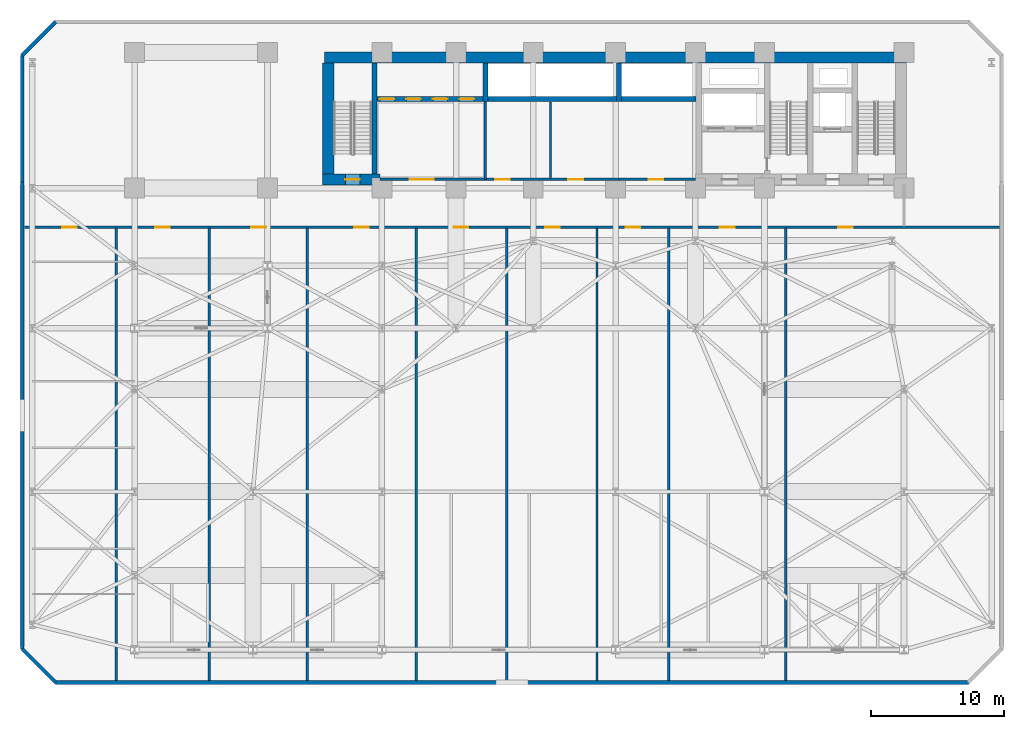
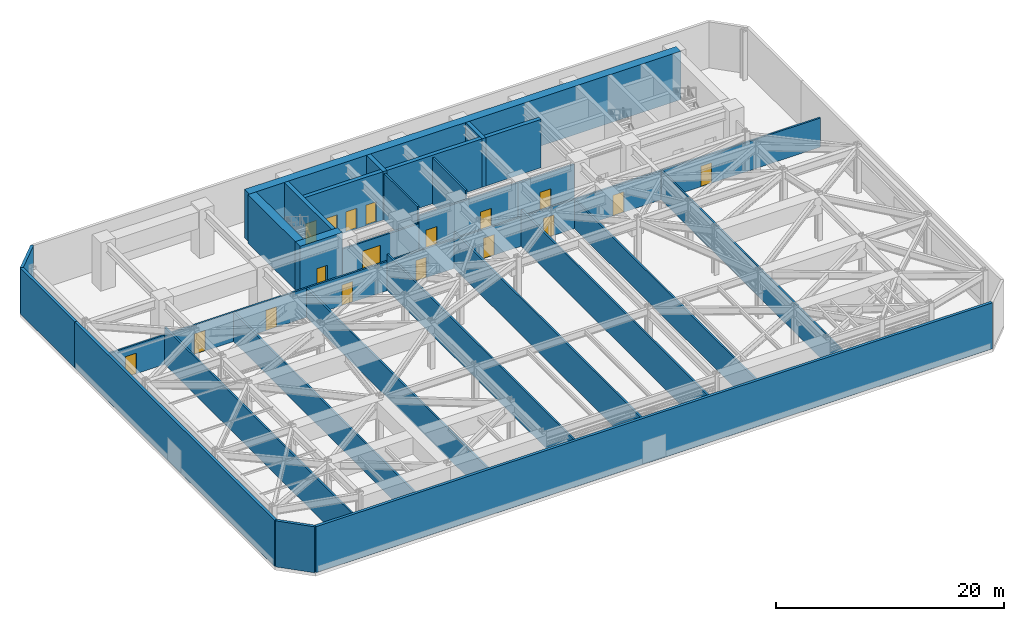
# One storey, part 7 of 14: 28 walls, 18 doors, 18 openings.
"""IFC4 building model written with IfcOpenShell, lengths in metres."""

from ifc_helpers import new_model, si_unit, direction, frame, frame_2d, origin, place, context, subcontext, project, spatial, rectangle, extrude, material, layer, layer_set, type_object, element, fill, save


model = new_model("IFC4")

# Units and contexts
model_context = context("Model", 3, precision=1e-05, world=origin(), true_north=direction((0.0, 1.0)))
body_context = subcontext(model_context, "Body", "Model", "MODEL_VIEW")
ifc_project = project(units=[si_unit("LENGTHUNIT", "METRE"), si_unit("AREAUNIT", "SQUARE_METRE"), si_unit("VOLUMEUNIT", "CUBIC_METRE"), si_unit("PLANEANGLEUNIT", "RADIAN"), si_unit("MASSUNIT", "GRAM", prefix="KILO")], contexts=[model_context])

# Site, building, storey
site_placement = place(None, origin())
site = spatial("IfcSite", under=ifc_project, at=site_placement, CompositionType="ELEMENT")
building_placement = place(site_placement, origin())
building = spatial("IfcBuilding", under=site, at=building_placement, Name="Kravanh Interchange Tower", CompositionType="ELEMENT")
storey_placement = place(building_placement, frame((0.0, 0.0, 24.300048828125)))
storey = spatial("IfcBuildingStorey", under=building, at=storey_placement, Name="L05", CompositionType="ELEMENT", Elevation=24.300048828125)

# Walls
ifc_material_1 = material(Name="Concrete C80/95", Category="concrete")
ifc_layer_1 = layer(ifc_material_1, 0.39990234375)
ifc_layer_set_1 = layer_set([ifc_layer_1], Name="Core Shear Wall Concrete C80/95 400mm")
wall_type_1 = type_object("IfcWallType", Name="Core Shear Wall Concrete C80/95 400mm", PredefinedType="SHEAR", material=ifc_layer_set_1)
wall_1_placement = place(storey_placement, frame((45.25, 44.050048828125, 0.0), z_axis=(0.0, 0.0, 1.0), x_axis=(1.0, 0.0, 0.0)))
element("IfcWall", 1, at=wall_1_placement, inside=storey, type_object=wall_type_1, Name="L05 High-Rise Lift Shaft South Wall", PredefinedType="SHEAR", context=body_context, shape_type="SweptSolid", body=[
    extrude(rectangle(XDim=5.60009765625, YDim=0.39990234375, at=frame_2d((2.800048828125, 0.0))), origin(), (0.0, 0.0, 1.0), 5.199951171875),
])
wall_2_placement = place(storey_placement, frame((45.050048828125, 43.85009765625, 0.0), z_axis=(0.0, 0.0, 1.0), x_axis=(0.0, 1.0, 0.0)))
element("IfcWall", 2, at=wall_2_placement, inside=storey, type_object=wall_type_1, Name="L05 High-Rise Lift Shaft West Wall", PredefinedType="SHEAR", context=body_context, shape_type="SweptSolid", body=[
    extrude(rectangle(XDim=2.89990234375, YDim=0.39990234375, at=frame_2d((1.449951171875, 0.0))), origin(), (0.0, 0.0, 1.0), 5.199951171875),
])
wall_3_placement = place(storey_placement, frame((35.199951171875, 44.050048828125, 0.0), z_axis=(0.0, 0.0, 1.0), x_axis=(1.0, 0.0, 0.0)))
element("IfcWall", 3, at=wall_3_placement, inside=storey, type_object=wall_type_1, Name="L05 Mid-Rise Lift Shaft South Wall", PredefinedType="SHEAR", context=body_context, shape_type="SweptSolid", body=[
    extrude(rectangle(XDim=9.650146484375, YDim=0.39990234375, at=frame_2d((4.8251953125, 0.0))), origin(), (0.0, 0.0, 1.0), 5.199951171875),
])
wall_4_placement = place(storey_placement, frame((35.0, 43.85009765625, 0.0), z_axis=(0.0, 0.0, 1.0), x_axis=(0.0, 1.0, 0.0)))
element("IfcWall", 4, at=wall_4_placement, inside=storey, type_object=wall_type_1, Name="L05 Mid-Rise Lift Shaft West Wall", PredefinedType="SHEAR", context=body_context, shape_type="SweptSolid", body=[
    extrude(rectangle(XDim=2.89990234375, YDim=0.39990234375, at=frame_2d((1.449951171875, 0.0))), origin(), (0.0, 0.0, 1.0), 5.199951171875),
])

# Wall, openings, doors
wall_5_placement = place(storey_placement, frame((26.85009765625, 44.050048828125, 0.0), z_axis=(0.0, 0.0, 1.0), x_axis=(1.0, 0.0, 0.0)))
wall_5 = element("IfcWall", 5, at=wall_5_placement, inside=storey, type_object=wall_type_1, Name="L05 Low-Rise Lift Shaft South Wall", PredefinedType="SHEAR", context=body_context, shape_type="SweptSolid", body=[
    extrude(rectangle(XDim=7.949951171875, YDim=0.39990234375, at=frame_2d((3.97509765625, 0.0))), origin(), (0.0, 0.0, 1.0), 5.199951171875),
])
opening_1_placement = place(wall_5_placement, frame((0.199951171875, 0.0, 0.0)))
opening_1 = element("IfcOpeningElement", 6, at=opening_1_placement, cuts=wall_5, Name="Opening LD01", PredefinedType="OPENING", context=body_context, shape_type="SweptSolid", body=[
    extrude(rectangle(XDim=1.10009765625, YDim=2.199951171875, at=frame_2d((0.550048828125, 1.10009765625))), frame((0.0, 0.2099609375, 0.0), z_axis=(0.0, -1.0, 0.0), x_axis=(1.0, 0.0, 0.0)), (0.0, 0.0, 1.0), 0.419921875),
])
opening_2_placement = place(wall_5_placement, frame((2.199951171875, 0.0, 0.0)))
opening_2 = element("IfcOpeningElement", 7, at=opening_2_placement, cuts=wall_5, Name="Opening LD01", PredefinedType="OPENING", context=body_context, shape_type="SweptSolid", body=[
    extrude(rectangle(XDim=1.10009765625, YDim=2.199951171875, at=frame_2d((0.550048828125, 1.10009765625))), frame((0.0, 0.2099609375, 0.0), z_axis=(0.0, -1.0, 0.0), x_axis=(1.0, 0.0, 0.0)), (0.0, 0.0, 1.0), 0.419921875),
])
opening_3_placement = place(wall_5_placement, frame((4.199951171875, 0.0, 0.0)))
opening_3 = element("IfcOpeningElement", 8, at=opening_3_placement, cuts=wall_5, Name="Opening LD01", PredefinedType="OPENING", context=body_context, shape_type="SweptSolid", body=[
    extrude(rectangle(XDim=1.10009765625, YDim=2.199951171875, at=frame_2d((0.550048828125, 1.10009765625))), frame((0.0, 0.2099609375, 0.0), z_axis=(0.0, -1.0, 0.0), x_axis=(1.0, 0.0, 0.0)), (0.0, 0.0, 1.0), 0.419921875),
])
opening_4_placement = place(wall_5_placement, frame((6.199951171875, 0.0, 0.0)))
opening_4 = element("IfcOpeningElement", 9, at=opening_4_placement, cuts=wall_5, Name="Opening LD01", PredefinedType="OPENING", context=body_context, shape_type="SweptSolid", body=[
    extrude(rectangle(XDim=1.10009765625, YDim=2.199951171875, at=frame_2d((0.550048828125, 1.10009765625))), frame((0.0, 0.2099609375, 0.0), z_axis=(0.0, -1.0, 0.0), x_axis=(1.0, 0.0, 0.0)), (0.0, 0.0, 1.0), 0.419921875),
])
ifc_material_2 = material(Name="Stainless Steel 304", Category="steel")
door_type_1 = type_object("IfcDoorType", Name="Passenger Lift Sliding Landing Door 1100x2200", OperationType="DOUBLE_DOOR_SLIDING", PredefinedType="DOOR", material=ifc_material_2)
door_1_placement = place(opening_1_placement, origin())
door_1 = element("IfcDoor", 10, at=door_1_placement, inside=storey, type_object=door_type_1, Name="L05 Lift LP-L1 Landing Door", OperationType="DOUBLE_DOOR_SLIDING", OverallHeight=2.199951171875, OverallWidth=1.10009765625, PredefinedType="DOOR", context=body_context, shape_type="SweptSolid", body=[
    extrude(rectangle(XDim=1.10009765625, YDim=2.199951171875, at=frame_2d((0.550048828125, 1.10009765625))), frame((0.0, 0.02490234375, 0.0), z_axis=(0.0, -1.0, 0.0), x_axis=(1.0, 0.0, 0.0)), (0.0, 0.0, 1.0), 0.050048828125),
])
fill(opening_1, door_1)
door_2_placement = place(opening_2_placement, origin())
door_2 = element("IfcDoor", 11, at=door_2_placement, inside=storey, type_object=door_type_1, Name="L05 Lift LP-L2 Landing Door", OperationType="DOUBLE_DOOR_SLIDING", OverallHeight=2.199951171875, OverallWidth=1.10009765625, PredefinedType="DOOR", context=body_context, shape_type="SweptSolid", body=[
    extrude(rectangle(XDim=1.10009765625, YDim=2.199951171875, at=frame_2d((0.550048828125, 1.10009765625))), frame((0.0, 0.02490234375, 0.0), z_axis=(0.0, -1.0, 0.0), x_axis=(1.0, 0.0, 0.0)), (0.0, 0.0, 1.0), 0.050048828125),
])
fill(opening_2, door_2)
door_3_placement = place(opening_3_placement, origin())
door_3 = element("IfcDoor", 12, at=door_3_placement, inside=storey, type_object=door_type_1, Name="L05 Lift LP-L3 Landing Door", OperationType="DOUBLE_DOOR_SLIDING", OverallHeight=2.199951171875, OverallWidth=1.10009765625, PredefinedType="DOOR", context=body_context, shape_type="SweptSolid", body=[
    extrude(rectangle(XDim=1.10009765625, YDim=2.199951171875, at=frame_2d((0.550048828125, 1.10009765625))), frame((0.0, 0.02490234375, 0.0), z_axis=(0.0, -1.0, 0.0), x_axis=(1.0, 0.0, 0.0)), (0.0, 0.0, 1.0), 0.050048828125),
])
fill(opening_3, door_3)
door_4_placement = place(opening_4_placement, origin())
door_4 = element("IfcDoor", 13, at=door_4_placement, inside=storey, type_object=door_type_1, Name="L05 Lift LP-L4 Landing Door", OperationType="DOUBLE_DOOR_SLIDING", OverallHeight=2.199951171875, OverallWidth=1.10009765625, PredefinedType="DOOR", context=body_context, shape_type="SweptSolid", body=[
    extrude(rectangle(XDim=1.10009765625, YDim=2.199951171875, at=frame_2d((0.550048828125, 1.10009765625))), frame((0.0, 0.02490234375, 0.0), z_axis=(0.0, -1.0, 0.0), x_axis=(1.0, 0.0, 0.0)), (0.0, 0.0, 1.0), 0.050048828125),
])
fill(opening_4, door_4)

# Walls
wall_6_placement = place(storey_placement, frame((26.64990234375, 38.425048828125, 0.0), z_axis=(0.0, 0.0, 1.0), x_axis=(0.0, 1.0, 0.0)))
element("IfcWall", 14, at=wall_6_placement, inside=storey, type_object=wall_type_1, Name="L05 Stair ST3 East Shear Wall", PredefinedType="SHEAR", context=body_context, shape_type="SweptSolid", body=[
    extrude(rectangle(XDim=8.324951171875, YDim=0.39990234375, at=frame_2d((4.16259765625, 0.0))), origin(), (0.0, 0.0, 1.0), 5.199951171875),
])
ifc_material_3 = material(Name="Concrete C80/95", Category="concrete")
ifc_layer_2 = layer(ifc_material_3, 0.85009765625)
ifc_layer_set_2 = layer_set([ifc_layer_2], Name="Core Shear Wall Concrete C80/95 850mm")
wall_type_2 = type_object("IfcWallType", Name="Core Shear Wall Concrete C80/95 850mm", PredefinedType="SHEAR", material=ifc_layer_set_2)
wall_7_placement = place(storey_placement, frame((22.89990234375, 47.175048828125, 0.0), z_axis=(0.0, 0.0, 1.0), x_axis=(1.0, 0.0, 0.0)))
element("IfcWall", 15, at=wall_7_placement, inside=storey, type_object=wall_type_2, Name="L05 North Core Shear Wall", PredefinedType="SHEAR", context=body_context, shape_type="SweptSolid", body=[
    extrude(rectangle(XDim=43.800048828125, YDim=0.85009765625, at=frame_2d((21.89990234375, 0.0))), origin(), (0.0, 0.0, 1.0), 5.199951171875),
])

# Wall, opening, door
wall_8_placement = place(storey_placement, frame((22.75, 38.0, 0.0), z_axis=(0.0, 0.0, 1.0), x_axis=(1.0, 0.0, 0.0)))
wall_8 = element("IfcWall", 16, at=wall_8_placement, inside=storey, type_object=wall_type_2, Name="L05 Stair ST3 South Shear Wall", PredefinedType="SHEAR", context=body_context, shape_type="SweptSolid", body=[
    extrude(rectangle(XDim=4.300048828125, YDim=0.85009765625, at=frame_2d((2.14990234375, 0.0))), origin(), (0.0, 0.0, 1.0), 5.199951171875),
])
opening_5_placement = place(wall_8_placement, frame((1.699951171875, 0.0, 0.0)))
opening_5 = element("IfcOpeningElement", 17, at=opening_5_placement, cuts=wall_8, Name="Opening D-STAIR-110", PredefinedType="OPENING", context=body_context, shape_type="SweptSolid", body=[
    extrude(rectangle(XDim=1.10009765625, YDim=2.199951171875, at=frame_2d((0.550048828125, 1.10009765625))), frame((0.0, 0.43505859375, 0.0), z_axis=(0.0, -1.0, 0.0), x_axis=(1.0, 0.0, 0.0)), (0.0, 0.0, 1.0), 0.8701171875),
])
ifc_material_4 = material(Name="Structural Steel S355", Category="steel")
door_type_2 = type_object("IfcDoorType", Name="Fire-Rated Exit Stair Door 1100x2200", OperationType="NOTDEFINED", PredefinedType="DOOR", material=ifc_material_4)
door_5_placement = place(opening_5_placement, origin())
door_5 = element("IfcDoor", 18, at=door_5_placement, inside=storey, type_object=door_type_2, Name="L05 Exit Stair ST3 Door", OperationType="SINGLE_SWING_RIGHT", OverallHeight=2.199951171875, OverallWidth=1.10009765625, PredefinedType="DOOR", context=body_context, shape_type="SweptSolid", body=[
    extrude(rectangle(XDim=1.10009765625, YDim=2.199951171875, at=frame_2d((0.550048828125, 1.10009765625))), frame((0.0, 0.02490234375, 0.0), z_axis=(0.0, -1.0, 0.0), x_axis=(1.0, 0.0, 0.0)), (0.0, 0.0, 1.0), 0.050048828125),
])
fill(opening_5, door_5)

# Walls
wall_9_placement = place(storey_placement, frame((23.175048828125, 38.425048828125, 0.0), z_axis=(0.0, 0.0, 1.0), x_axis=(0.0, 1.0, 0.0)))
element("IfcWall", 19, at=wall_9_placement, inside=storey, type_object=wall_type_2, Name="L05 Stair ST3 West Shear Wall", PredefinedType="SHEAR", context=body_context, shape_type="SweptSolid", body=[
    extrude(rectangle(XDim=8.324951171875, YDim=0.85009765625, at=frame_2d((4.16259765625, 0.0))), origin(), (0.0, 0.0, 1.0), 5.199951171875),
])
ifc_material_5 = material(Name="Insulated Precast Concrete C40/50 with Bronze Cladding", Category="concrete")
ifc_layer_3 = layer(ifc_material_5, 0.280029296875)
ifc_layer_set_3 = layer_set([ifc_layer_3], Name="Exterior Insulated Concrete C40/50 Bronze Spandrel Wall 280mm")
wall_type_3 = type_object("IfcWallType", Name="Exterior Insulated Concrete C40/50 Bronze Spandrel Wall 280mm", PredefinedType="STANDARD", material=ifc_layer_set_3)
wall_10_placement = place(storey_placement, frame((0.139892578125, 2.657958984375, 0.0), z_axis=(0.0, 0.0, 1.0), x_axis=(0.0, 1.0, 0.0)))
element("IfcWall", 20, at=wall_10_placement, inside=storey, type_object=wall_type_3, Name="L05 Exterior Enclosure Wall 1", PredefinedType="STANDARD", context=body_context, shape_type="SweptSolid", body=[
    extrude(rectangle(XDim=35.14208984375, YDim=0.280029296875, at=frame_2d((17.571044921875, 0.0))), origin(), (0.0, 0.0, 1.0), 4.93994140625),
])
wall_11_placement = place(storey_placement, frame((0.139892578125, 37.800048828125, 0.0), z_axis=(0.0, 0.0, 1.0), x_axis=(0.0, 1.0, 0.0)))
element("IfcWall", 21, at=wall_11_placement, inside=storey, type_object=wall_type_3, Name="L05 Exterior Enclosure Wall 2", PredefinedType="STANDARD", context=body_context, shape_type="SweptSolid", body=[
    extrude(rectangle(XDim=9.5419921875, YDim=0.280029296875, at=frame_2d((4.77099609375, 0.0))), origin(), (0.0, 0.0, 1.0), 4.93994140625),
])
wall_12_placement = place(storey_placement, frame((0.139892578125, 47.342041015625, 0.0), z_axis=(0.0, 0.0, 1.0), x_axis=(0.707106781187, 0.707106781187, 0.0)))
element("IfcWall", 22, at=wall_12_placement, inside=storey, type_object=wall_type_3, Name="L05 Exterior Enclosure Wall 3", PredefinedType="STANDARD", context=body_context, shape_type="SweptSolid", body=[
    extrude(rectangle(XDim=3.56103515625, YDim=0.280029296875, at=frame_2d((1.780517578125, 0.0))), origin(), (0.0, 0.0, 1.0), 4.93994140625),
])
wall_13_placement = place(storey_placement, frame((71.342041015625, 0.139892578125, 0.0), z_axis=(0.0, 0.0, 1.0), x_axis=(-1.0, 0.0, 0.0)))
element("IfcWall", 23, at=wall_13_placement, inside=storey, type_object=wall_type_3, Name="L05 Exterior Enclosure Wall 9", PredefinedType="STANDARD", context=body_context, shape_type="SweptSolid", body=[
    extrude(rectangle(XDim=68.68408203125, YDim=0.280029296875, at=frame_2d((34.342041015625, 0.0))), origin(), (0.0, 0.0, 1.0), 4.93994140625),
])
wall_14_placement = place(storey_placement, frame((2.657958984375, 0.139892578125, 0.0), z_axis=(0.0, 0.0, 1.0), x_axis=(-0.707106781187, 0.707106781187, 0.0)))
element("IfcWall", 24, at=wall_14_placement, inside=storey, type_object=wall_type_3, Name="L05 Exterior Enclosure Wall 10", PredefinedType="STANDARD", context=body_context, shape_type="SweptSolid", body=[
    extrude(rectangle(XDim=3.56103515625, YDim=0.280029296875, at=frame_2d((1.780517578125, 0.0))), origin(), (0.0, 0.0, 1.0), 4.93994140625),
])

# Wall, opening, door
ifc_material_6 = material(Name="Autoclaved Aerated Concrete C30/37 Blockwork", Category="masonry")
ifc_layer_4 = layer(ifc_material_6, 0.179931640625)
ifc_layer_set_4 = layer_set([ifc_layer_4], Name="Fire-Rated Lobby and Corridor Wall Concrete C30/37 180mm")
wall_type_4 = type_object("IfcWallType", Name="Fire-Rated Lobby and Corridor Wall Concrete C30/37 180mm", PredefinedType="STANDARD", material=ifc_layer_set_4)
wall_15_placement = place(storey_placement, frame((45.050048828125, 38.0, 0.0), z_axis=(0.0, 0.0, 1.0), x_axis=(1.0, 0.0, 0.0)))
wall_15 = element("IfcWall", 25, at=wall_15_placement, inside=storey, type_object=wall_type_4, Name="L05 Core South Enclosure 1", PredefinedType="STANDARD", context=body_context, shape_type="SweptSolid", body=[
    extrude(rectangle(XDim=5.75, YDim=0.179931640625, at=frame_2d((2.875, 0.0))), origin(), (0.0, 0.0, 1.0), 3.991943359375),
])
opening_6_placement = place(wall_15_placement, frame((2.240478515625, 0.0, 0.0)))
opening_6 = element("IfcOpeningElement", 26, at=opening_6_placement, cuts=wall_15, Name="Opening D-SHAFT-110", PredefinedType="OPENING", context=body_context, shape_type="SweptSolid", body=[
    extrude(rectangle(XDim=1.10009765625, YDim=2.199951171875, at=frame_2d((0.550048828125, 1.10009765625))), frame((0.0, 0.10009765625, 0.0), z_axis=(0.0, -1.0, 0.0), x_axis=(1.0, 0.0, 0.0)), (0.0, 0.0, 1.0), 0.199951171875),
])
ifc_material_7 = material(Name="Fire-Rated Composite Timber Leaf", Category="wood")
door_type_3 = type_object("IfcDoorType", Name="Fire-Rated Core Support Door 1100x2200", OperationType="NOTDEFINED", PredefinedType="DOOR", material=ifc_material_7)
door_6_placement = place(opening_6_placement, origin())
door_6 = element("IfcDoor", 27, at=door_6_placement, inside=storey, type_object=door_type_3, Name="L05 Core AHU Fan Room Door", OperationType="SINGLE_SWING_RIGHT", OverallHeight=2.199951171875, OverallWidth=1.10009765625, PredefinedType="DOOR", context=body_context, shape_type="SweptSolid", body=[
    extrude(rectangle(XDim=1.10009765625, YDim=2.199951171875, at=frame_2d((0.550048828125, 1.10009765625))), frame((0.0, 0.02490234375, 0.0), z_axis=(0.0, -1.0, 0.0), x_axis=(1.0, 0.0, 0.0)), (0.0, 0.0, 1.0), 0.050048828125),
])
fill(opening_6, door_6)

# Wall
wall_16_placement = place(storey_placement, frame((35.0, 38.0, 0.0), z_axis=(0.0, 0.0, 1.0), x_axis=(0.0, 1.0, 0.0)))
element("IfcWall", 28, at=wall_16_placement, inside=storey, type_object=wall_type_4, Name="L05 Low-Rise Lobby East Wall 2", PredefinedType="STANDARD", context=body_context, shape_type="SweptSolid", body=[
    extrude(rectangle(XDim=5.85009765625, YDim=0.179931640625, at=frame_2d((2.925048828125, 0.0))), origin(), (0.0, 0.0, 1.0), 4.93994140625),
])

# Wall, opening, door
wall_17_placement = place(storey_placement, frame((27.050048828125, 38.0, 0.0), z_axis=(0.0, 0.0, 1.0), x_axis=(1.0, 0.0, 0.0)))
wall_17 = element("IfcWall", 29, at=wall_17_placement, inside=storey, type_object=wall_type_4, Name="L05 Low-Rise Lobby South Wall 3", PredefinedType="STANDARD", context=body_context, shape_type="SweptSolid", body=[
    extrude(rectangle(XDim=7.949951171875, YDim=0.179931640625, at=frame_2d((3.97509765625, 0.0))), origin(), (0.0, 0.0, 1.0), 3.139892578125),
])
opening_7_placement = place(wall_17_placement, frame((2.25, 0.0, 0.0)))
opening_7 = element("IfcOpeningElement", 30, at=opening_7_placement, cuts=wall_17, Name="Opening DBL-180", PredefinedType="OPENING", context=body_context, shape_type="SweptSolid", body=[
    extrude(rectangle(XDim=1.800048828125, YDim=2.199951171875, at=frame_2d((0.89990234375, 1.10009765625))), frame((0.0, 0.10009765625, 0.0), z_axis=(0.0, -1.0, 0.0), x_axis=(1.0, 0.0, 0.0)), (0.0, 0.0, 1.0), 0.199951171875),
])
ifc_material_8 = material(Name="Structural Steel S355", Category="steel")
door_type_4 = type_object("IfcDoorType", Name="Lift Lobby Double Fire Door 1800x2200", OperationType="DOUBLE_DOOR_SINGLE_SWING", PredefinedType="DOOR", material=ifc_material_8)
door_7_placement = place(opening_7_placement, origin())
door_7 = element("IfcDoor", 31, at=door_7_placement, inside=storey, type_object=door_type_4, Name="L05 Low-Rise Lift Lobby Door", OperationType="DOUBLE_DOOR_SINGLE_SWING", OverallHeight=2.199951171875, OverallWidth=1.800048828125, PredefinedType="DOOR", context=body_context, shape_type="SweptSolid", body=[
    extrude(rectangle(XDim=1.800048828125, YDim=2.199951171875, at=frame_2d((0.89990234375, 1.10009765625))), frame((0.0, 0.02490234375, 0.0), z_axis=(0.0, -1.0, 0.0), x_axis=(1.0, 0.0, 0.0)), (0.0, 0.0, 1.0), 0.050048828125),
])
fill(opening_7, door_7)

# Wall, openings, doors
wall_18_placement = place(storey_placement, frame((35.0, 38.0, 0.0), z_axis=(0.0, 0.0, 1.0), x_axis=(1.0, 0.0, 0.0)))
wall_18 = element("IfcWall", 32, at=wall_18_placement, inside=storey, type_object=wall_type_4, Name="L05 Core Plant Support South Wall 4", PredefinedType="STANDARD", context=body_context, shape_type="SweptSolid", body=[
    extrude(rectangle(XDim=10.050048828125, YDim=0.179931640625, at=frame_2d((5.02490234375, 0.0))), origin(), (0.0, 0.0, 1.0), 3.991943359375),
])
opening_8_placement = place(wall_18_placement, frame((0.72509765625, 0.0, 0.0)))
opening_8 = element("IfcOpeningElement", 33, at=opening_8_placement, cuts=wall_18, Name="Opening D-STAIR-110", PredefinedType="OPENING", context=body_context, shape_type="SweptSolid", body=[
    extrude(rectangle(XDim=1.10009765625, YDim=2.199951171875, at=frame_2d((0.550048828125, 1.10009765625))), frame((0.0, 0.10009765625, 0.0), z_axis=(0.0, -1.0, 0.0), x_axis=(1.0, 0.0, 0.0)), (0.0, 0.0, 1.0), 0.199951171875),
])
opening_9_placement = place(wall_18_placement, frame((6.25, 0.0, 0.0)))
opening_9 = element("IfcOpeningElement", 34, at=opening_9_placement, cuts=wall_18, Name="Opening D-STAIR-110", PredefinedType="OPENING", context=body_context, shape_type="SweptSolid", body=[
    extrude(rectangle(XDim=1.10009765625, YDim=2.199951171875, at=frame_2d((0.550048828125, 1.10009765625))), frame((0.0, 0.10009765625, 0.0), z_axis=(0.0, -1.0, 0.0), x_axis=(1.0, 0.0, 0.0)), (0.0, 0.0, 1.0), 0.199951171875),
])
door_8_placement = place(opening_8_placement, origin())
door_8 = element("IfcDoor", 35, at=door_8_placement, inside=storey, type_object=door_type_2, Name="L05 Core Switchgear Room Door", OperationType="SINGLE_SWING_LEFT", OverallHeight=2.199951171875, OverallWidth=1.10009765625, PredefinedType="DOOR", context=body_context, shape_type="SweptSolid", body=[
    extrude(rectangle(XDim=1.10009765625, YDim=2.199951171875, at=frame_2d((0.550048828125, 1.10009765625))), frame((0.0, 0.02490234375, 0.0), z_axis=(0.0, -1.0, 0.0), x_axis=(1.0, 0.0, 0.0)), (0.0, 0.0, 1.0), 0.050048828125),
])
fill(opening_8, door_8)
door_9_placement = place(opening_9_placement, origin())
door_9 = element("IfcDoor", 36, at=door_9_placement, inside=storey, type_object=door_type_2, Name="L05 Core Mechanical Plant Room Door", OperationType="SINGLE_SWING_RIGHT", OverallHeight=2.199951171875, OverallWidth=1.10009765625, PredefinedType="DOOR", context=body_context, shape_type="SweptSolid", body=[
    extrude(rectangle(XDim=1.10009765625, YDim=2.199951171875, at=frame_2d((0.550048828125, 1.10009765625))), frame((0.0, 0.02490234375, 0.0), z_axis=(0.0, -1.0, 0.0), x_axis=(1.0, 0.0, 0.0)), (0.0, 0.0, 1.0), 0.050048828125),
])
fill(opening_9, door_9)

# Wall
wall_19_placement = place(storey_placement, frame((39.89990234375, 38.068115234375, 0.0), z_axis=(0.0, 0.0, 1.0), x_axis=(0.0, 1.0, 0.0)))
element("IfcWall", 37, at=wall_19_placement, inside=storey, type_object=wall_type_4, Name="L05 Interior Partition 5", PredefinedType="STANDARD", context=body_context, shape_type="SweptSolid", body=[
    extrude(rectangle(XDim=5.77392578125, YDim=0.179931640625, at=frame_2d((2.886962890625, 0.0))), origin(), (0.0, 0.0, 1.0), 4.93994140625),
])

# Wall, openings, doors
wall_20_placement = place(storey_placement, frame((0.304931640625, 34.39990234375, 0.0), z_axis=(0.0, 0.0, 1.0), x_axis=(1.0, 0.0, 0.0)))
wall_20 = element("IfcWall", 38, at=wall_20_placement, inside=storey, type_object=wall_type_4, Name="L05 Interior Partition 6", PredefinedType="STANDARD", context=body_context, shape_type="SweptSolid", body=[
    extrude(rectangle(XDim=73.39013671875, YDim=0.179931640625, at=frame_2d((36.695068359375, 0.0))), origin(), (0.0, 0.0, 1.0), 3.139892578125),
])
opening_10_placement = place(wall_20_placement, frame((2.840087890625, 0.0, 0.0)))
opening_10 = element("IfcOpeningElement", 39, at=opening_10_placement, cuts=wall_20, Name="Opening D-STAIR-110", PredefinedType="OPENING", context=body_context, shape_type="SweptSolid", body=[
    extrude(rectangle(XDim=1.10009765625, YDim=2.199951171875, at=frame_2d((0.550048828125, 1.10009765625))), frame((0.0, 0.10009765625, 0.0), z_axis=(0.0, -1.0, 0.0), x_axis=(1.0, 0.0, 0.0)), (0.0, 0.0, 1.0), 0.199951171875),
])
opening_11_placement = place(wall_20_placement, frame((9.844970703125, 0.0, 0.0)))
opening_11 = element("IfcOpeningElement", 40, at=opening_11_placement, cuts=wall_20, Name="Opening D-STAIR-110", PredefinedType="OPENING", context=body_context, shape_type="SweptSolid", body=[
    extrude(rectangle(XDim=1.10009765625, YDim=2.199951171875, at=frame_2d((0.550048828125, 1.10009765625))), frame((0.0, 0.10009765625, 0.0), z_axis=(0.0, -1.0, 0.0), x_axis=(1.0, 0.0, 0.0)), (0.0, 0.0, 1.0), 0.199951171875),
])
opening_12_placement = place(wall_20_placement, frame((17.085205078125, 0.0, 0.0)))
opening_12 = element("IfcOpeningElement", 41, at=opening_12_placement, cuts=wall_20, Name="Opening D-STAIR-110", PredefinedType="OPENING", context=body_context, shape_type="SweptSolid", body=[
    extrude(rectangle(XDim=1.10009765625, YDim=2.199951171875, at=frame_2d((0.550048828125, 1.10009765625))), frame((0.0, 0.10009765625, 0.0), z_axis=(0.0, -1.0, 0.0), x_axis=(1.0, 0.0, 0.0)), (0.0, 0.0, 1.0), 0.199951171875),
])
opening_13_placement = place(wall_20_placement, frame((24.804931640625, 0.0, 0.0)))
opening_13 = element("IfcOpeningElement", 42, at=opening_13_placement, cuts=wall_20, Name="Opening D-STAIR-110", PredefinedType="OPENING", context=body_context, shape_type="SweptSolid", body=[
    extrude(rectangle(XDim=1.10009765625, YDim=2.199951171875, at=frame_2d((0.550048828125, 1.10009765625))), frame((0.0, 0.10009765625, 0.0), z_axis=(0.0, -1.0, 0.0), x_axis=(1.0, 0.0, 0.0)), (0.0, 0.0, 1.0), 0.199951171875),
])
opening_14_placement = place(wall_20_placement, frame((32.304443359375, 0.0, 0.0)))
opening_14 = element("IfcOpeningElement", 43, at=opening_14_placement, cuts=wall_20, Name="Opening D-STAIR-110", PredefinedType="OPENING", context=body_context, shape_type="SweptSolid", body=[
    extrude(rectangle(XDim=1.10009765625, YDim=2.199951171875, at=frame_2d((0.550048828125, 1.10009765625))), frame((0.0, 0.10009765625, 0.0), z_axis=(0.0, -1.0, 0.0), x_axis=(1.0, 0.0, 0.0)), (0.0, 0.0, 1.0), 0.199951171875),
])
opening_15_placement = place(wall_20_placement, frame((39.185546875, 0.0, 0.0)))
opening_15 = element("IfcOpeningElement", 44, at=opening_15_placement, cuts=wall_20, Name="Opening D-STAIR-110", PredefinedType="OPENING", context=body_context, shape_type="SweptSolid", body=[
    extrude(rectangle(XDim=1.10009765625, YDim=2.199951171875, at=frame_2d((0.550048828125, 1.10009765625))), frame((0.0, 0.10009765625, 0.0), z_axis=(0.0, -1.0, 0.0), x_axis=(1.0, 0.0, 0.0)), (0.0, 0.0, 1.0), 0.199951171875),
])
opening_16_placement = place(wall_20_placement, frame((45.2451171875, 0.0, 0.0)))
opening_16 = element("IfcOpeningElement", 45, at=opening_16_placement, cuts=wall_20, Name="Opening D-STAIR-110", PredefinedType="OPENING", context=body_context, shape_type="SweptSolid", body=[
    extrude(rectangle(XDim=1.10009765625, YDim=2.199951171875, at=frame_2d((0.550048828125, 1.10009765625))), frame((0.0, 0.10009765625, 0.0), z_axis=(0.0, -1.0, 0.0), x_axis=(1.0, 0.0, 0.0)), (0.0, 0.0, 1.0), 0.199951171875),
])
opening_17_placement = place(wall_20_placement, frame((52.344970703125, 0.0, 0.0)))
opening_17 = element("IfcOpeningElement", 46, at=opening_17_placement, cuts=wall_20, Name="Opening D-STAIR-110", PredefinedType="OPENING", context=body_context, shape_type="SweptSolid", body=[
    extrude(rectangle(XDim=1.10009765625, YDim=2.199951171875, at=frame_2d((0.550048828125, 1.10009765625))), frame((0.0, 0.10009765625, 0.0), z_axis=(0.0, -1.0, 0.0), x_axis=(1.0, 0.0, 0.0)), (0.0, 0.0, 1.0), 0.199951171875),
])
opening_18_placement = place(wall_20_placement, frame((61.2353515625, 0.0, 0.0)))
opening_18 = element("IfcOpeningElement", 47, at=opening_18_placement, cuts=wall_20, Name="Opening D-STAIR-110", PredefinedType="OPENING", context=body_context, shape_type="SweptSolid", body=[
    extrude(rectangle(XDim=1.10009765625, YDim=2.199951171875, at=frame_2d((0.550048828125, 1.10009765625))), frame((0.0, 0.10009765625, 0.0), z_axis=(0.0, -1.0, 0.0), x_axis=(1.0, 0.0, 0.0)), (0.0, 0.0, 1.0), 0.199951171875),
])
door_10_placement = place(opening_10_placement, origin())
door_10 = element("IfcDoor", 48, at=door_10_placement, inside=storey, type_object=door_type_2, Name="L05 Chiller Heat Exchanger Plant Room Door", OperationType="SINGLE_SWING_LEFT", OverallHeight=2.199951171875, OverallWidth=1.10009765625, PredefinedType="DOOR", context=body_context, shape_type="SweptSolid", body=[
    extrude(rectangle(XDim=1.10009765625, YDim=2.199951171875, at=frame_2d((0.550048828125, 1.10009765625))), frame((0.0, 0.02490234375, 0.0), z_axis=(0.0, -1.0, 0.0), x_axis=(1.0, 0.0, 0.0)), (0.0, 0.0, 1.0), 0.050048828125),
])
fill(opening_10, door_10)
door_11_placement = place(opening_11_placement, origin())
door_11 = element("IfcDoor", 49, at=door_11_placement, inside=storey, type_object=door_type_2, Name="L05 Primary AHU Plant Room Door", OperationType="SINGLE_SWING_RIGHT", OverallHeight=2.199951171875, OverallWidth=1.10009765625, PredefinedType="DOOR", context=body_context, shape_type="SweptSolid", body=[
    extrude(rectangle(XDim=1.10009765625, YDim=2.199951171875, at=frame_2d((0.550048828125, 1.10009765625))), frame((0.0, 0.02490234375, 0.0), z_axis=(0.0, -1.0, 0.0), x_axis=(1.0, 0.0, 0.0)), (0.0, 0.0, 1.0), 0.050048828125),
])
fill(opening_11, door_11)
door_12_placement = place(opening_12_placement, origin())
door_12 = element("IfcDoor", 50, at=door_12_placement, inside=storey, type_object=door_type_2, Name="L05 Secondary AHU Plant Room Door", OperationType="SINGLE_SWING_LEFT", OverallHeight=2.199951171875, OverallWidth=1.10009765625, PredefinedType="DOOR", context=body_context, shape_type="SweptSolid", body=[
    extrude(rectangle(XDim=1.10009765625, YDim=2.199951171875, at=frame_2d((0.550048828125, 1.10009765625))), frame((0.0, 0.02490234375, 0.0), z_axis=(0.0, -1.0, 0.0), x_axis=(1.0, 0.0, 0.0)), (0.0, 0.0, 1.0), 0.050048828125),
])
fill(opening_12, door_12)
door_13_placement = place(opening_13_placement, origin())
door_13 = element("IfcDoor", 51, at=door_13_placement, inside=storey, type_object=door_type_2, Name="L05 Smoke Control Mechanical Plant Room Door", OperationType="SINGLE_SWING_RIGHT", OverallHeight=2.199951171875, OverallWidth=1.10009765625, PredefinedType="DOOR", context=body_context, shape_type="SweptSolid", body=[
    extrude(rectangle(XDim=1.10009765625, YDim=2.199951171875, at=frame_2d((0.550048828125, 1.10009765625))), frame((0.0, 0.02490234375, 0.0), z_axis=(0.0, -1.0, 0.0), x_axis=(1.0, 0.0, 0.0)), (0.0, 0.0, 1.0), 0.050048828125),
])
fill(opening_13, door_13)
door_14_placement = place(opening_14_placement, origin())
door_14 = element("IfcDoor", 52, at=door_14_placement, inside=storey, type_object=door_type_2, Name="L05 HV Electrical Switchroom Door", OperationType="SINGLE_SWING_LEFT", OverallHeight=2.199951171875, OverallWidth=1.10009765625, PredefinedType="DOOR", context=body_context, shape_type="SweptSolid", body=[
    extrude(rectangle(XDim=1.10009765625, YDim=2.199951171875, at=frame_2d((0.550048828125, 1.10009765625))), frame((0.0, 0.02490234375, 0.0), z_axis=(0.0, -1.0, 0.0), x_axis=(1.0, 0.0, 0.0)), (0.0, 0.0, 1.0), 0.050048828125),
])
fill(opening_14, door_14)
door_15_placement = place(opening_15_placement, origin())
door_15 = element("IfcDoor", 53, at=door_15_placement, inside=storey, type_object=door_type_2, Name="L05 Transformer Plant Room Door", OperationType="SINGLE_SWING_RIGHT", OverallHeight=2.199951171875, OverallWidth=1.10009765625, PredefinedType="DOOR", context=body_context, shape_type="SweptSolid", body=[
    extrude(rectangle(XDim=1.10009765625, YDim=2.199951171875, at=frame_2d((0.550048828125, 1.10009765625))), frame((0.0, 0.02490234375, 0.0), z_axis=(0.0, -1.0, 0.0), x_axis=(1.0, 0.0, 0.0)), (0.0, 0.0, 1.0), 0.050048828125),
])
fill(opening_15, door_15)
door_16_placement = place(opening_16_placement, origin())
door_16 = element("IfcDoor", 54, at=door_16_placement, inside=storey, type_object=door_type_2, Name="L05 Emergency Generator Switchroom Door", OperationType="SINGLE_SWING_LEFT", OverallHeight=2.199951171875, OverallWidth=1.10009765625, PredefinedType="DOOR", context=body_context, shape_type="SweptSolid", body=[
    extrude(rectangle(XDim=1.10009765625, YDim=2.199951171875, at=frame_2d((0.550048828125, 1.10009765625))), frame((0.0, 0.02490234375, 0.0), z_axis=(0.0, -1.0, 0.0), x_axis=(1.0, 0.0, 0.0)), (0.0, 0.0, 1.0), 0.050048828125),
])
fill(opening_16, door_16)
door_17_placement = place(opening_17_placement, origin())
door_17 = element("IfcDoor", 55, at=door_17_placement, inside=storey, type_object=door_type_2, Name="L05 Fire Pump Plant Room Door", OperationType="SINGLE_SWING_RIGHT", OverallHeight=2.199951171875, OverallWidth=1.10009765625, PredefinedType="DOOR", context=body_context, shape_type="SweptSolid", body=[
    extrude(rectangle(XDim=1.10009765625, YDim=2.199951171875, at=frame_2d((0.550048828125, 1.10009765625))), frame((0.0, 0.02490234375, 0.0), z_axis=(0.0, -1.0, 0.0), x_axis=(1.0, 0.0, 0.0)), (0.0, 0.0, 1.0), 0.050048828125),
])
fill(opening_17, door_17)
door_18_placement = place(opening_18_placement, origin())
door_18 = element("IfcDoor", 56, at=door_18_placement, inside=storey, type_object=door_type_2, Name="L05 Booster Water Tank Room Door", OperationType="SINGLE_SWING_LEFT", OverallHeight=2.199951171875, OverallWidth=1.10009765625, PredefinedType="DOOR", context=body_context, shape_type="SweptSolid", body=[
    extrude(rectangle(XDim=1.10009765625, YDim=2.199951171875, at=frame_2d((0.550048828125, 1.10009765625))), frame((0.0, 0.02490234375, 0.0), z_axis=(0.0, -1.0, 0.0), x_axis=(1.0, 0.0, 0.0)), (0.0, 0.0, 1.0), 0.050048828125),
])
fill(opening_18, door_18)

# Walls
wall_21_placement = place(storey_placement, frame((7.199951171875, 0.304931640625, 0.0), z_axis=(0.0, 0.0, 1.0), x_axis=(0.0, 1.0, 0.0)))
element("IfcWall", 57, at=wall_21_placement, inside=storey, type_object=wall_type_4, Name="L05 Interior Partition 8", PredefinedType="STANDARD", context=body_context, shape_type="SweptSolid", body=[
    extrude(rectangle(XDim=34.027099609375, YDim=0.179931640625, at=frame_2d((17.013671875, 0.0))), origin(), (0.0, 0.0, 1.0), 3.991943359375),
])
for number, where, z_axis, x_axis, name in (
    (58, (14.199951171875, 0.304931640625, 0.0), (0.0, 0.0, 1.0), (0.0, 1.0, 0.0), "L05 Interior Partition 9"),
    (59, (21.60009765625, 0.304931640625, 0.0), (0.0, 0.0, 1.0), (0.0, 1.0, 0.0), "L05 Interior Partition 10"),
):
    element("IfcWall", number, at=place(storey_placement, frame(where, z_axis=z_axis, x_axis=x_axis)), inside=storey, type_object=wall_type_4, Name=name, PredefinedType="STANDARD", context=body_context, shape_type="SweptSolid", body=[
        extrude(rectangle(XDim=34.027099609375, YDim=0.179931640625, at=frame_2d((17.013671875, 0.0))), origin(), (0.0, 0.0, 1.0), 3.139892578125),
    ])
for number, where, z_axis, x_axis, name in (
    (60, (29.800048828125, 0.304931640625, 0.0), (0.0, 0.0, 1.0), (0.0, 1.0, 0.0), "L05 Interior Partition 11"),
    (61, (36.60009765625, 0.304931640625, 0.0), (0.0, 0.0, 1.0), (0.0, 1.0, 0.0), "L05 Interior Partition 12"),
    (62, (43.39990234375, 0.304931640625, 0.0), (0.0, 0.0, 1.0), (0.0, 1.0, 0.0), "L05 Interior Partition 13"),
):
    element("IfcWall", number, at=place(storey_placement, frame(where, z_axis=z_axis, x_axis=x_axis)), inside=storey, type_object=wall_type_4, Name=name, PredefinedType="STANDARD", context=body_context, shape_type="SweptSolid", body=[
        extrude(rectangle(XDim=34.027099609375, YDim=0.179931640625, at=frame_2d((17.013671875, 0.0))), origin(), (0.0, 0.0, 1.0), 3.89892578125),
    ])
for number, where, z_axis, x_axis, name in (
    (63, (48.800048828125, 0.304931640625, 0.0), (0.0, 0.0, 1.0), (0.0, 1.0, 0.0), "L05 Interior Partition 14"),
    (64, (57.60009765625, 0.304931640625, 0.0), (0.0, 0.0, 1.0), (0.0, 1.0, 0.0), "L05 Interior Partition 15"),
):
    element("IfcWall", number, at=place(storey_placement, frame(where, z_axis=z_axis, x_axis=x_axis)), inside=storey, type_object=wall_type_4, Name=name, PredefinedType="STANDARD", context=body_context, shape_type="SweptSolid", body=[
        extrude(rectangle(XDim=34.027099609375, YDim=0.179931640625, at=frame_2d((17.013671875, 0.0))), origin(), (0.0, 0.0, 1.0), 3.139892578125),
    ])

save(model, "model.ifc")
